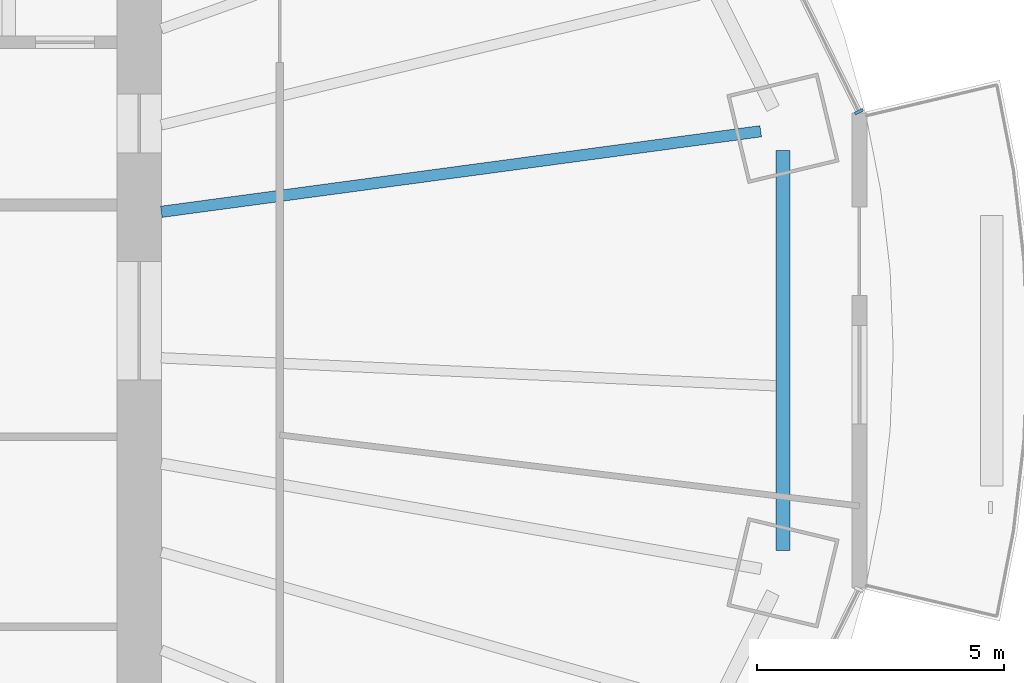
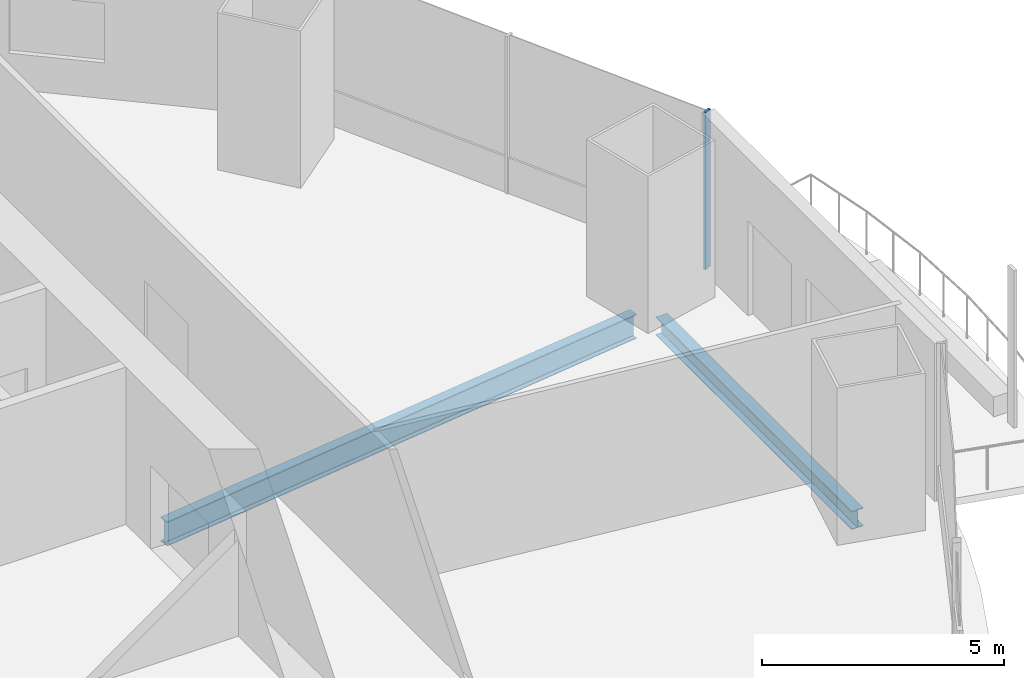
# One storey, part 5 of 18: 2 beams, 1 member, 1 element without a shape of its own.
"""IFC4 building model written with IfcOpenShell, lengths in metres."""

import ifcopenshell
import ifcopenshell.guid

model = None  # the IFC model being written
_history = None  # IfcOwnerHistory: only IFC2X3 demands one
_inside = {}  # id of a spatial element -> (the spatial element, [elements in it])
_under = {}  # id of a project, library or spatial element -> (it, [spatial elements below it])
_declared = {}  # id of a project -> (the project, [libraries it declares])
_typed = {}  # id of a type object -> (the type object, [elements of that type])
_made_of = {}  # id of a material, layer set ... -> (it, [elements and type objects made of it])


def new_model(schema):
    """Start an empty IFC model of exactly this schema.

    Asked for "IFC4X3", IfcOpenShell would pick the latest addendum, in which some entities
    have other attributes; the version numbers below select the first issue.
    IFC2X3 requires an IfcOwnerHistory on every rooted entity: one is made here for all.
    """
    global model, _history
    if schema == "IFC4X3":
        model = ifcopenshell.file(schema_version=(4, 3, 0, 0))
    else:
        model = ifcopenshell.file(schema=schema)
    _inside.clear()
    _under.clear()
    _declared.clear()
    _typed.clear()
    _made_of.clear()
    _history = None
    if model.schema == "IFC2X3":
        org = make("IfcOrganization", Name="unknown")
        user = make(
            "IfcPersonAndOrganization",
            ThePerson=make("IfcPerson", FamilyName="unknown"),
            TheOrganization=org,
        )
        app = make(
            "IfcApplication",
            ApplicationDeveloper=org,
            Version="unknown",
            ApplicationFullName="unknown",
            ApplicationIdentifier="unknown",
        )
        _history = make(
            "IfcOwnerHistory",
            OwningUser=user,
            OwningApplication=app,
            ChangeAction="ADDED",
            CreationDate=0,
        )
    return model


def make(cls, **values):
    """One entity of the class cls with the attributes given. An attribute that is None is left unset."""
    return model.create_entity(
        cls, **{name: value for name, value in values.items() if value is not None}
    )


def rooted(cls, **values):
    """An entity with a GlobalId (a new one), such as an element, a storey or a relation."""
    return make(cls, GlobalId=ifcopenshell.guid.new(), OwnerHistory=_history, **values)


def si_unit(unit_type, name, prefix=None):
    """IfcSIUnit, for example si_unit("LENGTHUNIT", "METRE", prefix="MILLI")."""
    return make("IfcSIUnit", UnitType=unit_type, Prefix=prefix, Name=name)


def assignment(units):
    """IfcUnitAssignment: the units of a project."""
    return None if units is None else make("IfcUnitAssignment", Units=units)


def point(xyz):
    """IfcCartesianPoint."""
    return None if xyz is None else make("IfcCartesianPoint", Coordinates=xyz)


def direction(xyz):
    """IfcDirection."""
    return None if xyz is None else make("IfcDirection", DirectionRatios=xyz)


def frame(location, z_axis=None, x_axis=None):
    """IfcAxis2Placement3D, a coordinate frame: its origin and axes. An axis left out is left unset."""
    return make(
        "IfcAxis2Placement3D",
        Location=point(location),
        Axis=direction(z_axis),
        RefDirection=direction(x_axis),
    )


def frame_2d(location, x_axis=None):
    """IfcAxis2Placement2D, a coordinate frame in the plane: its origin and x axis."""
    return make(
        "IfcAxis2Placement2D", Location=point(location), RefDirection=direction(x_axis)
    )


def origin():
    """The frame at (0, 0, 0) with its axes left unset."""
    return frame((0.0, 0.0, 0.0))


def origin_2d():
    """The frame at (0, 0) in the plane with its x axis left unset."""
    return frame_2d((0.0, 0.0))


def place(relative_to, where):
    """IfcLocalPlacement: puts the frame where relative to a parent placement (None: the world)."""
    return make(
        "IfcLocalPlacement", PlacementRelTo=relative_to, RelativePlacement=where
    )


def context(
    kind, dimensions, precision=None, world=None, true_north=None, identifier=None
):
    """IfcGeometricRepresentationContext, for example the 3D "Model" context."""
    return make(
        "IfcGeometricRepresentationContext",
        ContextIdentifier=identifier,
        ContextType=kind,
        CoordinateSpaceDimension=dimensions,
        Precision=precision,
        WorldCoordinateSystem=world,
        TrueNorth=true_north,
    )


def subcontext(parent, identifier, kind, view, scale=None):
    """IfcGeometricRepresentationSubContext, for example "Body" below "Model"."""
    return make(
        "IfcGeometricRepresentationSubContext",
        ContextIdentifier=identifier,
        ContextType=kind,
        ParentContext=parent,
        TargetScale=scale,
        TargetView=view,
    )


def project(units=None, contexts=None):
    """IfcProject with its units and contexts."""
    return rooted(
        "IfcProject",
        Name="project",
        RepresentationContexts=contexts,
        UnitsInContext=assignment(units),
    )


def spatial(cls, under=None, at=None, **own):
    """A site, building, storey or space (cls), placed at a placement, below another one or the project."""
    s = rooted(cls, ObjectPlacement=at, **own)
    if under is not None:
        _under.setdefault(under.id(), (under, []))[1].append(s)
    return s


def profile(cls, at=None, kind="AREA", **sizes):
    """A parametric profile (cls). Its sizes go by their IFC names, for example OverallWidth=200.0."""
    return make(cls, ProfileType=kind, Position=at, **sizes)


def rectangle(**sizes):
    """IfcRectangleProfileDef."""
    return profile("IfcRectangleProfileDef", **sizes)


def i_section(**sizes):
    """IfcIShapeProfileDef."""
    return profile("IfcIShapeProfileDef", **sizes)


def extrude(swept, where, along, depth):
    """IfcExtrudedAreaSolid: the profile swept, set in the frame where, extruded along a direction by depth."""
    return make(
        "IfcExtrudedAreaSolid",
        SweptArea=swept,
        Position=where,
        ExtrudedDirection=direction(along),
        Depth=depth,
    )


def shape(context_of_items, identifier, shape_type, items):
    """IfcShapeRepresentation: the items that make up one representation, for example the "Body"."""
    return make(
        "IfcShapeRepresentation",
        ContextOfItems=context_of_items,
        RepresentationIdentifier=identifier,
        RepresentationType=shape_type,
        Items=items,
    )


def material(Name=None, Category=None):
    """IfcMaterial."""
    return make("IfcMaterial", Name=Name, Category=Category)


def material_profile(
    of_material, cross_section, Name=None, Category=None, Priority=None
):
    """IfcMaterialProfile: a cross section and its material."""
    return make(
        "IfcMaterialProfile",
        Name=Name,
        Material=of_material,
        Profile=cross_section,
        Priority=Priority,
        Category=Category,
    )


def profile_set(profiles, Name=None, composite=None):
    """IfcMaterialProfileSet."""
    return make(
        "IfcMaterialProfileSet",
        Name=Name,
        MaterialProfiles=profiles,
        CompositeProfile=composite,
    )


def made_of(thing, what):
    """Note that an element or type object is made of a material, layer set ...; save() writes the relation."""
    if what is not None:
        _made_of.setdefault(what.id(), (what, []))[1].append(thing)
    return thing


def type_object(cls, material=None, **own):
    """A type object (cls), such as IfcWallType, which elements share."""
    return made_of(rooted(cls, **own), material)


def element(
    cls,
    number,
    at=None,
    inside=None,
    cuts=None,
    type_object=None,
    material=None,
    context=None,
    identifier="Body",
    shape_type=None,
    held_by="IfcProductDefinitionShape",
    body=None,
    shapes=None,
    **own,
):
    """One element of the class cls, such as IfcWall. Its Tag is "e" and its number.

    at: its placement. inside: the storey or other place that contains it. cuts: it is an
    opening in that element (IfcRelVoidsElement). A single representation is given by context,
    identifier, shape_type and body (its items); several are given by shapes. held_by: the class
    of the entity that holds the representations. save() writes the other relations.
    """
    e = rooted(cls, Tag="e%d" % number, ObjectPlacement=at, **own)
    if body is not None:
        shapes = [shape(context, identifier, shape_type, body)]
    if shapes is not None:
        e.Representation = make(held_by, Representations=shapes)
    if inside is not None:
        _inside.setdefault(inside.id(), (inside, []))[1].append(e)
    if cuts is not None:
        rooted(
            "IfcRelVoidsElement", RelatingBuildingElement=cuts, RelatedOpeningElement=e
        )
    if type_object is not None:
        _typed.setdefault(type_object.id(), (type_object, []))[1].append(e)
    return made_of(e, material)


def aggregate(whole, parts):
    """IfcRelAggregates: a whole, such as a stair, and the parts it consists of."""
    return rooted("IfcRelAggregates", RelatingObject=whole, RelatedObjects=parts)


def save(model, path):
    """Write the relations noted so far, then the file.

    IfcRelAggregates (storeys below a building ...), IfcRelContainedInSpatialStructure (elements
    in a storey), IfcRelDefinesByType, IfcRelAssociatesMaterial and IfcRelDeclares: one each for
    every whole, place, type object, material and project.
    """
    for whole, parts in _under.values():
        aggregate(whole, parts)
    for where, things in _inside.values():
        rooted(
            "IfcRelContainedInSpatialStructure",
            RelatedElements=things,
            RelatingStructure=where,
        )
    for kind, things in _typed.values():
        rooted("IfcRelDefinesByType", RelatedObjects=things, RelatingType=kind)
    for what, things in _made_of.values():
        rooted("IfcRelAssociatesMaterial", RelatedObjects=things, RelatingMaterial=what)
    for by, libraries in _declared.values():
        rooted("IfcRelDeclares", RelatingContext=by, RelatedDefinitions=libraries)
    model.write(path)


model = new_model("IFC4")

# Units and contexts
model_context = context("Model", 3, precision=1e-05, world=origin(), true_north=direction((0.0, 1.0)))
body_context = subcontext(model_context, "Body", "Model", "MODEL_VIEW")
ifc_project = project(units=[si_unit("LENGTHUNIT", "METRE"), si_unit("AREAUNIT", "SQUARE_METRE"), si_unit("VOLUMEUNIT", "CUBIC_METRE"), si_unit("PLANEANGLEUNIT", "RADIAN"), si_unit("MASSUNIT", "GRAM", prefix="KILO")], contexts=[model_context])

# Site, building, storey
site_placement = place(None, origin())
site = spatial("IfcSite", under=ifc_project, at=site_placement, CompositionType="ELEMENT")
building_placement = place(site_placement, origin())
building = spatial("IfcBuilding", under=site, at=building_placement, Name="Marenthal Gate Tower", CompositionType="ELEMENT")
storey_placement = place(building_placement, frame((0.0, 0.0, 260.64990234375)))
storey = spatial("IfcBuildingStorey", under=building, at=storey_placement, Name="L58", CompositionType="ELEMENT", Elevation=260.64990234375)

# Curtain wall, member
ifc_material_1 = material(Name="Aluminium and glass", Category="aluminium")
curtain_wall_type = type_object("IfcCurtainWallType", Name="Curtain wall typical mid", PredefinedType="NOTDEFINED", material=ifc_material_1)
curtain_wall_placement = place(storey_placement, origin())
curtain_wall = element("IfcCurtainWall", 1, at=curtain_wall_placement, inside=storey, type_object=curtain_wall_type, Name="Curtain wall L58 bay 1", PredefinedType="NOTDEFINED")
ifc_material_2 = material(Name="Aluminium", Category="aluminium")
ifc_material_profile_1 = material_profile(ifc_material_2, rectangle(XDim=0.179931640625, YDim=0.06005859375, at=origin_2d()), Name="60x180 aluminium mullion")
ifc_profile_set_1 = profile_set([ifc_material_profile_1], Name="Aluminium")
member_type = type_object("IfcMemberType", Name="Mullion 60x180 typical mid", PredefinedType="MULLION", material=ifc_profile_set_1)
member_placement = place(storey_placement, frame((30.58349609375, 4.239501953125, 0.0), z_axis=(0.0, 0.0, 1.0), x_axis=(-0.896920632002, -0.442191564697, 0.0)))
member = element("IfcMember", 2, at=member_placement, type_object=member_type, Name="Mullion L58 bay 1.1", PredefinedType="MULLION", context=body_context, shape_type="SweptSolid", body=[
    extrude(rectangle(XDim=0.179931640625, YDim=0.06005859375, at=origin_2d()), origin(), (0.0, 0.0, 1.0), 3.97021484375),
])
aggregate(curtain_wall, [member])

# Beams
ifc_material_3 = material(Name="Steel S355", Category="steel")
ifc_material_profile_2 = material_profile(ifc_material_3, i_section(OverallWidth=0.279052734375, OverallDepth=0.4619140625, WebThickness=0.0107421875, FlangeThickness=0.017333984375, FilletRadius=0.010009765625, at=origin_2d()), Name="W460X113")
ifc_profile_set_2 = profile_set([ifc_material_profile_2], Name="Steel S355")
beam_type_1 = type_object("IfcBeamType", Name="W460X113 beam", PredefinedType="BEAM", material=ifc_profile_set_2)
beam_1_placement = place(storey_placement, frame((29.047119140625, -4.653076171875, -0.410888671875), z_axis=(0.0, 1.0, 0.0), x_axis=(-1.0, 0.0, 0.0)))
element("IfcBeam", 3, at=beam_1_placement, inside=storey, type_object=beam_type_1, Name="BM-L58-56", PredefinedType="BEAM", context=body_context, shape_type="SweptSolid", body=[
    extrude(i_section(OverallWidth=0.279052734375, OverallDepth=0.4619140625, WebThickness=0.0107421875, FlangeThickness=0.017333984375, FilletRadius=0.010009765625, at=origin_2d()), origin(), (0.0, 0.0, 1.0), 8.106201171875),
])
ifc_material_4 = material(Name="Steel S355", Category="steel")
ifc_material_profile_3 = material_profile(ifc_material_4, i_section(OverallWidth=0.22900390625, OverallDepth=0.612060546875, WebThickness=0.011962890625, FlangeThickness=0.01953125, FilletRadius=0.0126953125, at=origin_2d()), Name="W610X125")
ifc_profile_set_3 = profile_set([ifc_material_profile_3], Name="Steel S355")
beam_type_2 = type_object("IfcBeamType", Name="W610X125 beam", PredefinedType="BEAM", material=ifc_profile_set_3)
beam_2_placement = place(storey_placement, frame((28.59619140625, 3.843505859375, -0.48583984375), z_axis=(-0.991087639187, -0.133211453905, 0.0), x_axis=(0.133211453905, -0.991087639187, 0.0)))
element("IfcBeam", 4, at=beam_2_placement, inside=storey, type_object=beam_type_2, Name="BM-L58-01", PredefinedType="BEAM", context=body_context, shape_type="SweptSolid", body=[
    extrude(i_section(OverallWidth=0.22900390625, OverallDepth=0.612060546875, WebThickness=0.011962890625, FlangeThickness=0.01953125, FilletRadius=0.0126953125, at=origin_2d()), origin(), (0.0, 0.0, 1.0), 12.25537109375),
])

save(model, "model.ifc")
